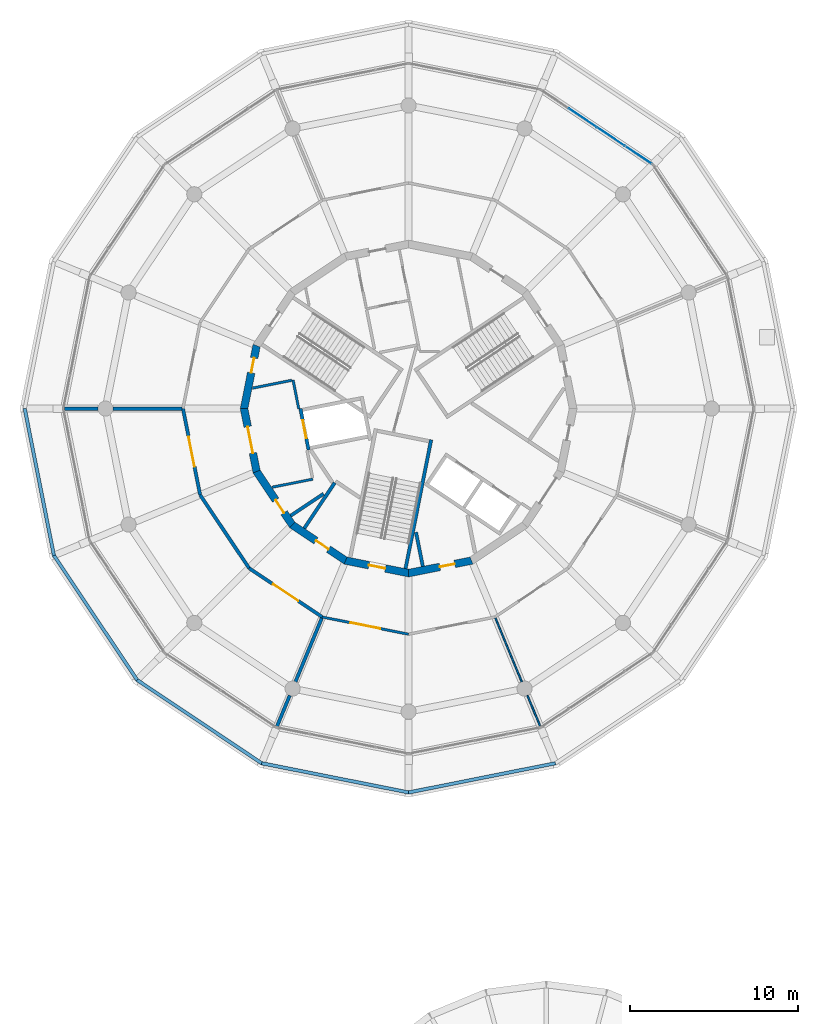
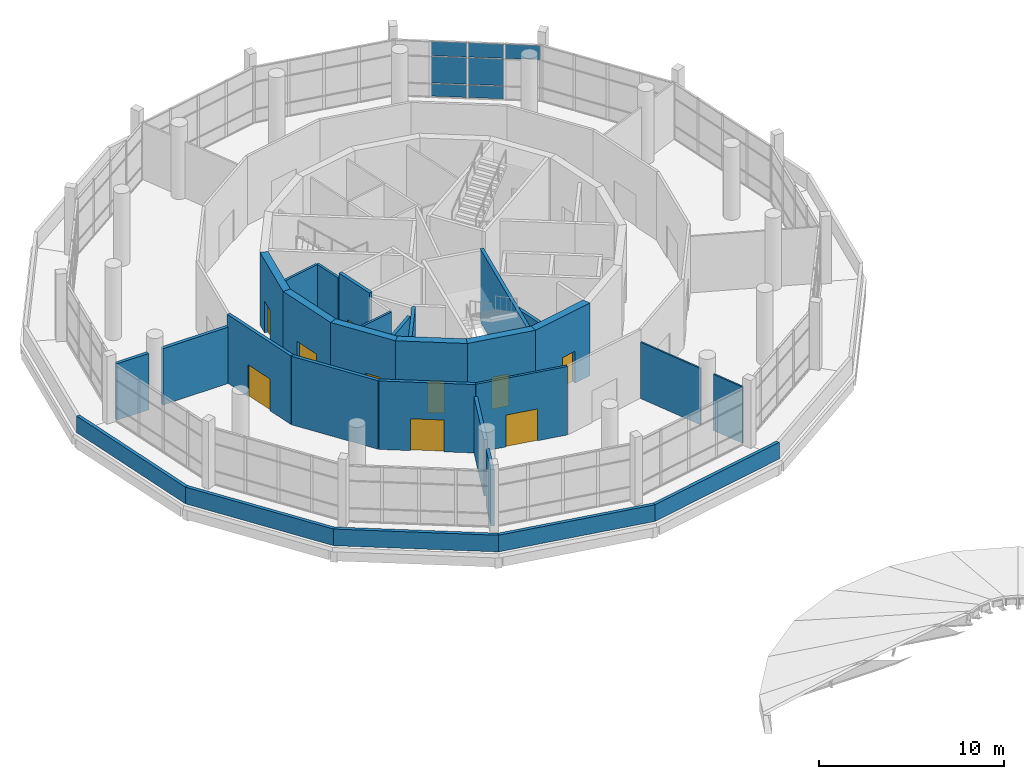
# One storey, part 16 of 21: 29 walls, 10 doors, 7 plates, 10 openings, 1 element without a shape of its own.
"""IFC4 building model written with IfcOpenShell, lengths in metres."""

from ifc_helpers import new_model, si_unit, direction, frame, frame_2d, origin, origin_2d, place, context, subcontext, project, spatial, polyline, rectangle, outline, extrude, material, layer, layer_set, type_object, element, fill, aggregate, save


model = new_model("IFC4")

# Units and contexts
model_context = context("Model", 3, precision=1e-05, world=origin(), true_north=direction((0.0, 1.0)))
body_context = subcontext(model_context, "Body", "Model", "MODEL_VIEW")
ifc_project = project(units=[si_unit("LENGTHUNIT", "METRE"), si_unit("AREAUNIT", "SQUARE_METRE"), si_unit("VOLUMEUNIT", "CUBIC_METRE"), si_unit("PLANEANGLEUNIT", "RADIAN"), si_unit("MASSUNIT", "GRAM", prefix="KILO")], contexts=[model_context])

# Site, building, storey
site_placement = place(None, origin())
site = spatial("IfcSite", under=ifc_project, at=site_placement, CompositionType="ELEMENT")
building_placement = place(site_placement, origin())
building = spatial("IfcBuilding", under=site, at=building_placement, Name="Ceibo Conservatory and Research Tower", CompositionType="ELEMENT")
storey_placement = place(building_placement, frame((0.0, 0.0, 15.60009765625)))
storey = spatial("IfcBuildingStorey", under=building, at=storey_placement, Name="L03", CompositionType="ELEMENT", Elevation=15.60009765625)

# Curtain wall, plates
ifc_material_1 = material(Name="Aluminium and glass", Category="aluminium")
curtain_wall_type = type_object("IfcCurtainWallType", Name="Curtain wall CW1", PredefinedType="NOTDEFINED", material=ifc_material_1)
curtain_wall_placement = place(storey_placement, origin())
curtain_wall = element("IfcCurtainWall", 1, at=curtain_wall_placement, inside=storey, type_object=curtain_wall_type, Name="CW-03.03", PredefinedType="NOTDEFINED")
ifc_material_2 = material(Name="Glass", Category="glass")
ifc_layer_1 = layer(ifc_material_2, 0.028076171875)
ifc_layer_set_1 = layer_set([ifc_layer_1], Name="Glass")
plate_type = type_object("IfcPlateType", Name="Insulated glass panel 28", PredefinedType="CURTAIN_PANEL", material=ifc_layer_set_1)
plate_1_placement = place(storey_placement, frame((61.65185546875, 135.0595703125, 2.72998046875), z_axis=(0.0, 0.0, 1.0), x_axis=(-0.831469649004, 0.555570178092, 0.0)))
plate_1 = element("IfcPlate", 2, at=plate_1_placement, type_object=plate_type, Name="CW-03.03 panel 1.3", PredefinedType="CURTAIN_PANEL", context=body_context, shape_type="SweptSolid", body=[
    extrude(rectangle(XDim=1.90966796875, YDim=0.028076171875, at=origin_2d()), origin(), (0.0, 0.0, 1.0), 0.929931640625),
])
plate_2_placement = place(storey_placement, frame((60.001708984375, 136.162109375, 0.059814453125), z_axis=(0.0, 0.0, 1.0), x_axis=(-0.831469649004, 0.555570178092, 0.0)))
plate_2 = element("IfcPlate", 3, at=plate_2_placement, type_object=plate_type, Name="CW-03.03 panel 2.1", PredefinedType="CURTAIN_PANEL", context=body_context, shape_type="SweptSolid", body=[
    extrude(rectangle(XDim=1.939697265625, YDim=0.028076171875, at=origin_2d()), origin(), (0.0, 0.0, 1.0), 0.81005859375),
])
plate_3_placement = place(storey_placement, frame((60.001708984375, 136.162109375, 0.9296875), z_axis=(0.0, 0.0, 1.0), x_axis=(-0.831469649004, 0.555570178092, 0.0)))
plate_3 = element("IfcPlate", 4, at=plate_3_placement, type_object=plate_type, Name="CW-03.03 panel 2.2", PredefinedType="CURTAIN_PANEL", context=body_context, shape_type="SweptSolid", body=[
    extrude(rectangle(XDim=1.939697265625, YDim=0.028076171875, at=origin_2d()), origin(), (0.0, 0.0, 1.0), 1.739990234375),
])
plate_4_placement = place(storey_placement, frame((60.001708984375, 136.162109375, 2.72998046875), z_axis=(0.0, 0.0, 1.0), x_axis=(-0.831469649004, 0.555570178092, 0.0)))
plate_4 = element("IfcPlate", 5, at=plate_4_placement, type_object=plate_type, Name="CW-03.03 panel 2.3", PredefinedType="CURTAIN_PANEL", context=body_context, shape_type="SweptSolid", body=[
    extrude(rectangle(XDim=1.939697265625, YDim=0.028076171875, at=origin_2d()), origin(), (0.0, 0.0, 1.0), 0.929931640625),
])
plate_5_placement = place(storey_placement, frame((58.339111328125, 137.273193359375, 0.059814453125), z_axis=(0.0, 0.0, 1.0), x_axis=(-0.831469649004, 0.555570178092, 0.0)))
plate_5 = element("IfcPlate", 6, at=plate_5_placement, type_object=plate_type, Name="CW-03.03 panel 3.1", PredefinedType="CURTAIN_PANEL", context=body_context, shape_type="SweptSolid", body=[
    extrude(rectangle(XDim=1.939697265625, YDim=0.028076171875, at=origin_2d()), origin(), (0.0, 0.0, 1.0), 0.81005859375),
])
plate_6_placement = place(storey_placement, frame((58.339111328125, 137.273193359375, 0.9296875), z_axis=(0.0, 0.0, 1.0), x_axis=(-0.831469649004, 0.555570178092, 0.0)))
plate_6 = element("IfcPlate", 7, at=plate_6_placement, type_object=plate_type, Name="CW-03.03 panel 3.2", PredefinedType="CURTAIN_PANEL", context=body_context, shape_type="SweptSolid", body=[
    extrude(rectangle(XDim=1.939697265625, YDim=0.028076171875, at=origin_2d()), origin(), (0.0, 0.0, 1.0), 1.739990234375),
])
plate_7_placement = place(storey_placement, frame((58.339111328125, 137.273193359375, 2.72998046875), z_axis=(0.0, 0.0, 1.0), x_axis=(-0.831469649004, 0.555570178092, 0.0)))
plate_7 = element("IfcPlate", 8, at=plate_7_placement, type_object=plate_type, Name="CW-03.03 panel 3.3", PredefinedType="CURTAIN_PANEL", context=body_context, shape_type="SweptSolid", body=[
    extrude(rectangle(XDim=1.939697265625, YDim=0.028076171875, at=origin_2d()), origin(), (0.0, 0.0, 1.0), 0.929931640625),
])
aggregate(curtain_wall, [plate_1, plate_2, plate_3, plate_4, plate_5, plate_6, plate_7])

# Wall, opening, door
ifc_material_3 = material(Name="Masonry blockwork", Category="masonry")
ifc_layer_2 = layer(ifc_material_3, 0.199951171875)
ifc_layer_set_2 = layer_set([ifc_layer_2], Name="Masonry blockwork")
wall_type_1 = type_object("IfcWallType", Name="Compartment wall 200 EI 120", PredefinedType="SOLIDWALL", material=ifc_layer_set_2)
wall_1_placement = place(storey_placement, frame((42.8720703125, 107.6201171875, 0.0), z_axis=(0.0, 0.0, 1.0), x_axis=(-0.831460742974, 0.555583506678, 0.0)))
wall_1 = element("IfcWall", 9, at=wall_1_placement, inside=storey, type_object=wall_type_1, Name="Partition 03.009", PredefinedType="SOLIDWALL", context=body_context, shape_type="SweptSolid", body=[
    extrude(rectangle(XDim=5.228271484375, YDim=0.199951171875, at=frame_2d((2.6142578125, 0.0))), origin(), (0.0, 0.0, 1.0), 4.52001953125),
])
opening_1_placement = place(wall_1_placement, frame((1.71435546875, 0.0, 0.0)))
opening_1 = element("IfcOpeningElement", 10, at=opening_1_placement, cuts=wall_1, Name="Opening T03-06", PredefinedType="OPENING", context=body_context, shape_type="SweptSolid", body=[
    extrude(rectangle(XDim=1.800048828125, YDim=2.10009765625, at=frame_2d((0.89990234375, 1.050048828125))), frame((0.0, 0.10986328125, 0.0), z_axis=(0.0, -1.0, 0.0), x_axis=(1.0, 0.0, 0.0)), (0.0, 0.0, 1.0), 0.219970703125),
])
ifc_material_4 = material(Name="Galvanised sheet steel DX51D", Category="steel")
door_type_1 = type_object("IfcDoorType", Name="Door fire double 1800x2100 EI 60", OperationType="DOUBLE_DOOR_SINGLE_SWING", PredefinedType="DOOR", material=ifc_material_4)
door_1_placement = place(opening_1_placement, origin())
door_1 = element("IfcDoor", 11, at=door_1_placement, inside=storey, type_object=door_type_1, Name="Door T03-06", OperationType="DOUBLE_DOOR_SINGLE_SWING", OverallHeight=2.10009765625, OverallWidth=1.800048828125, PredefinedType="DOOR", context=body_context, shape_type="SweptSolid", body=[
    extrude(rectangle(XDim=1.800048828125, YDim=2.10009765625, at=frame_2d((0.89990234375, 1.050048828125))), frame((0.0, 0.02490234375, 0.0), z_axis=(0.0, -1.0, 0.0), x_axis=(1.0, 0.0, 0.0)), (0.0, 0.0, 1.0), 0.050048828125),
])
fill(opening_1, door_1)

# Wall
wall_2_placement = place(storey_placement, frame((38.52490234375, 110.52490234375, 0.0), z_axis=(0.0, 0.0, 1.0), x_axis=(-0.555583506678, 0.831460742974, 0.0)))
element("IfcWall", 12, at=wall_2_placement, inside=storey, type_object=wall_type_1, Name="Partition 03.010", PredefinedType="SOLIDWALL", context=body_context, shape_type="SweptSolid", body=[
    extrude(rectangle(XDim=5.228271484375, YDim=0.199951171875, at=frame_2d((2.6142578125, 0.0))), origin(), (0.0, 0.0, 1.0), 4.52001953125),
])

# Wall, opening, door
wall_3_placement = place(storey_placement, frame((35.6201171875, 114.8720703125, 0.0), z_axis=(0.0, 0.0, 1.0), x_axis=(-0.195092326952, 0.980784881595, 0.0)))
wall_3 = element("IfcWall", 13, at=wall_3_placement, inside=storey, type_object=wall_type_1, Name="Partition 03.011", PredefinedType="SOLIDWALL", context=body_context, shape_type="SweptSolid", body=[
    extrude(rectangle(XDim=5.228515625, YDim=0.199951171875, at=frame_2d((2.6142578125, 0.0))), origin(), (0.0, 0.0, 1.0), 4.52001953125),
])
opening_2_placement = place(wall_3_placement, frame((1.71435546875, 0.0, 0.0)))
opening_2 = element("IfcOpeningElement", 14, at=opening_2_placement, cuts=wall_3, Name="Opening T03-05", PredefinedType="OPENING", context=body_context, shape_type="SweptSolid", body=[
    extrude(rectangle(XDim=1.800048828125, YDim=2.10009765625, at=frame_2d((0.89990234375, 1.050048828125))), frame((0.0, 0.10986328125, 0.0), z_axis=(0.0, -1.0, 0.0), x_axis=(1.0, 0.0, 0.0)), (0.0, 0.0, 1.0), 0.219970703125),
])
door_2_placement = place(opening_2_placement, origin())
door_2 = element("IfcDoor", 15, at=door_2_placement, inside=storey, type_object=door_type_1, Name="Door T03-05", OperationType="DOUBLE_DOOR_SINGLE_SWING", OverallHeight=2.10009765625, OverallWidth=1.800048828125, PredefinedType="DOOR", context=body_context, shape_type="SweptSolid", body=[
    extrude(rectangle(XDim=1.800048828125, YDim=2.10009765625, at=frame_2d((0.89990234375, 1.050048828125))), frame((0.0, 0.02490234375, 0.0), z_axis=(0.0, -1.0, 0.0), x_axis=(1.0, 0.0, 0.0)), (0.0, 0.0, 1.0), 0.050048828125),
])
fill(opening_2, door_2)

# Walls
wall_4_placement = place(storey_placement, frame((29.56005859375, 120.0, 0.0), z_axis=(0.0, 0.0, 1.0), x_axis=(-1.0, 0.0, 0.0)))
element("IfcWall", 16, at=wall_4_placement, inside=storey, type_object=wall_type_1, Name="Partition 03.021", PredefinedType="SOLIDWALL", context=body_context, shape_type="SweptSolid", body=[
    extrude(rectangle(XDim=1.99853515625, YDim=0.199951171875, at=frame_2d((0.999267578125, 0.0))), origin(), (0.0, 0.0, 1.0), 3.719970703125),
])
wall_5_placement = place(storey_placement, frame((34.528564453125, 120.0, 0.0), z_axis=(0.0, 0.0, 1.0), x_axis=(-1.0, 0.0, 0.0)))
element("IfcWall", 17, at=wall_5_placement, inside=storey, type_object=wall_type_1, Name="Partition 03.022", PredefinedType="SOLIDWALL", context=body_context, shape_type="SweptSolid", body=[
    extrude(rectangle(XDim=4.088623046875, YDim=0.199951171875, at=frame_2d((2.04443359375, 0.0))), origin(), (0.0, 0.0, 1.0), 3.719970703125),
])
wall_6_placement = place(storey_placement, frame((40.943359375, 102.963623046875, 0.0), z_axis=(0.0, 0.0, 1.0), x_axis=(-0.382758203112, -0.923848557909, 0.0)))
element("IfcWall", 18, at=wall_6_placement, inside=storey, type_object=wall_type_1, Name="Partition 03.023", PredefinedType="SOLIDWALL", context=body_context, shape_type="SweptSolid", body=[
    extrude(rectangle(XDim=1.998291015625, YDim=0.199951171875, at=frame_2d((0.9990234375, 0.0))), origin(), (0.0, 0.0, 1.0), 3.719970703125),
])
wall_7_placement = place(storey_placement, frame((42.8447265625, 107.553955078125, 0.0), z_axis=(0.0, 0.0, 1.0), x_axis=(-0.38269809899, -0.92387345726, 0.0)))
element("IfcWall", 19, at=wall_7_placement, inside=storey, type_object=wall_type_1, Name="Partition 03.024", PredefinedType="SOLIDWALL", context=body_context, shape_type="SweptSolid", body=[
    extrude(rectangle(XDim=4.088623046875, YDim=0.199951171875, at=frame_2d((2.04443359375, 0.0))), origin(), (0.0, 0.0, 1.0), 3.719970703125),
])

# Wall, opening, door
ifc_material_5 = material(Name="Concrete C35/45", Category="concrete")
ifc_layer_3 = layer(ifc_material_5, 0.449951171875)
ifc_layer_set_3 = layer_set([ifc_layer_3], Name="Concrete C35/45")
wall_type_2 = type_object("IfcWallType", Name="Core wall 450 C35", PredefinedType="SHEAR", material=ifc_layer_set_3)
wall_8_placement = place(storey_placement, frame((38.97314453125, 123.739013671875, 0.0), z_axis=(0.0, 0.0, 1.0), x_axis=(-0.195069197673, -0.98078948206, 0.0)))
wall_8 = element("IfcWall", 20, at=wall_8_placement, inside=storey, type_object=wall_type_2, Name="Core wall L03 08", PredefinedType="SHEAR", context=body_context, shape_type="SweptSolid", body=[
    extrude(outline(polyline([(-0.044677734375, -0.22509765625), (3.85693359375, -0.22509765625), (3.767578125, 0.22509765625), (0.044677734375, 0.22509765625), (-0.044677734375, -0.22509765625)])), origin(), (0.0, 0.0, 1.0), 4.7998046875),
])
opening_3_placement = place(wall_8_placement, frame((0.74462890625, 0.0, 0.0)))
opening_3 = element("IfcOpeningElement", 21, at=opening_3_placement, cuts=wall_8, Name="Opening C03-12", PredefinedType="OPENING", context=body_context, shape_type="SweptSolid", body=[
    extrude(rectangle(XDim=0.89990234375, YDim=2.10009765625, at=frame_2d((0.449951171875, 1.050048828125))), frame((0.0, 0.23486328125, 0.0), z_axis=(0.0, -1.0, 0.0), x_axis=(1.0, 0.0, 0.0)), (0.0, 0.0, 1.0), 0.469970703125),
])
door_type_2 = type_object("IfcDoorType", Name="Riser door 900x2100 EI 60 (right hand)", OperationType="SINGLE_SWING_RIGHT", PredefinedType="DOOR", material=ifc_material_4)
door_3_placement = place(opening_3_placement, origin())
door_3 = element("IfcDoor", 22, at=door_3_placement, inside=storey, type_object=door_type_2, Name="Store door 03", OperationType="SINGLE_SWING_RIGHT", OverallHeight=2.10009765625, OverallWidth=0.89990234375, PredefinedType="DOOR", context=body_context, shape_type="SweptSolid", body=[
    extrude(rectangle(XDim=0.89990234375, YDim=2.10009765625, at=frame_2d((0.449951171875, 1.050048828125))), frame((0.0, 0.02490234375, 0.0), z_axis=(0.0, -1.0, 0.0), x_axis=(1.0, 0.0, 0.0)), (0.0, 0.0, 1.0), 0.050048828125),
])
fill(opening_3, door_3)

wall_9_placement = place(storey_placement, frame((38.2294921875, 120.0, 0.0), z_axis=(0.0, 0.0, 1.0), x_axis=(0.195069197673, -0.98078948206, 0.0)))
wall_9 = element("IfcWall", 23, at=wall_9_placement, inside=storey, type_object=wall_type_2, Name="Core wall L03 09", PredefinedType="SHEAR", context=body_context, shape_type="SweptSolid", body=[
    extrude(outline(polyline([(-0.044677734375, -0.22509765625), (3.85693359375, -0.22509765625), (3.767578125, 0.22509765625), (0.044677734375, 0.22509765625), (-0.044677734375, -0.22509765625)])), origin(), (0.0, 0.0, 1.0), 4.7998046875),
])
opening_4_placement = place(wall_9_placement, frame((1.0947265625, 0.0, 0.0)))
opening_4 = element("IfcOpeningElement", 24, at=opening_4_placement, cuts=wall_9, Name="Opening C03-06", PredefinedType="OPENING", context=body_context, shape_type="SweptSolid", body=[
    extrude(rectangle(XDim=1.60009765625, YDim=2.10009765625, at=frame_2d((0.800048828125, 1.050048828125))), frame((0.0, 0.23486328125, 0.0), z_axis=(0.0, -1.0, 0.0), x_axis=(1.0, 0.0, 0.0)), (0.0, 0.0, 1.0), 0.469970703125),
])
door_type_3 = type_object("IfcDoorType", Name="Lobby double door 1600x2100 EI 60", OperationType="DOUBLE_DOOR_SINGLE_SWING", PredefinedType="DOOR", material=ifc_material_4)
door_4_placement = place(opening_4_placement, frame((1.60009765625, 0.0, 0.0), z_axis=(0.0, 0.0, 1.0), x_axis=(-1.0, 0.0, 0.0)))
door_4 = element("IfcDoor", 25, at=door_4_placement, inside=storey, type_object=door_type_3, Name="Goods Lift Lobby door 03", OperationType="DOUBLE_DOOR_SINGLE_SWING", OverallHeight=2.10009765625, OverallWidth=1.60009765625, PredefinedType="DOOR", context=body_context, shape_type="SweptSolid", body=[
    extrude(rectangle(XDim=1.60009765625, YDim=2.10009765625, at=frame_2d((0.800048828125, 1.050048828125))), frame((0.0, 0.02490234375, 0.0), z_axis=(0.0, -1.0, 0.0), x_axis=(1.0, 0.0, 0.0)), (0.0, 0.0, 1.0), 0.050048828125),
])
fill(opening_4, door_4)

wall_10_placement = place(storey_placement, frame((38.97314453125, 116.260986328125, 0.0), z_axis=(0.0, 0.0, 1.0), x_axis=(0.555542277102, -0.83148829117, 0.0)))
wall_10 = element("IfcWall", 26, at=wall_10_placement, inside=storey, type_object=wall_type_2, Name="Core wall L03 10", PredefinedType="SHEAR", context=body_context, shape_type="SweptSolid", body=[
    extrude(outline(polyline([(-0.044677734375, -0.22509765625), (3.85693359375, -0.22509765625), (3.767578125, 0.22509765625), (0.044677734375, 0.22509765625), (-0.044677734375, -0.22509765625)])), origin(), (0.0, 0.0, 1.0), 4.7998046875),
])
opening_5_placement = place(wall_10_placement, frame((2.044677734375, 0.0, 0.0)))
opening_5 = element("IfcOpeningElement", 27, at=opening_5_placement, cuts=wall_10, Name="Opening C03-10", PredefinedType="OPENING", context=body_context, shape_type="SweptSolid", body=[
    extrude(rectangle(XDim=0.89990234375, YDim=2.10009765625, at=frame_2d((0.449951171875, 1.050048828125))), frame((0.0, 0.23486328125, 0.0), z_axis=(0.0, -1.0, 0.0), x_axis=(1.0, 0.0, 0.0)), (0.0, 0.0, 1.0), 0.469970703125),
])
door_type_4 = type_object("IfcDoorType", Name="Riser door 900x2100 EI 60 (left hand)", OperationType="SINGLE_SWING_LEFT", PredefinedType="DOOR", material=ifc_material_4)
door_5_placement = place(opening_5_placement, frame((0.89990234375, 0.0, 0.0), z_axis=(0.0, 0.0, 1.0), x_axis=(-1.0, 0.0, 0.0)))
door_5 = element("IfcDoor", 28, at=door_5_placement, inside=storey, type_object=door_type_4, Name="Cleaner Store door 03", OperationType="SINGLE_SWING_LEFT", OverallHeight=2.10009765625, OverallWidth=0.89990234375, PredefinedType="DOOR", context=body_context, shape_type="SweptSolid", body=[
    extrude(rectangle(XDim=0.89990234375, YDim=2.10009765625, at=frame_2d((0.449951171875, 1.050048828125))), frame((0.0, 0.02490234375, 0.0), z_axis=(0.0, -1.0, 0.0), x_axis=(1.0, 0.0, 0.0)), (0.0, 0.0, 1.0), 0.050048828125),
])
fill(opening_5, door_5)

wall_11_placement = place(storey_placement, frame((41.091064453125, 113.091064453125, 0.0), z_axis=(0.0, 0.0, 1.0), x_axis=(0.83148829117, -0.555542277102, 0.0)))
wall_11 = element("IfcWall", 29, at=wall_11_placement, inside=storey, type_object=wall_type_2, Name="Core wall L03 11", PredefinedType="SHEAR", context=body_context, shape_type="SweptSolid", body=[
    extrude(outline(polyline([(-0.044677734375, -0.22509765625), (3.85693359375, -0.22509765625), (3.767578125, 0.22509765625), (0.044677734375, 0.22509765625), (-0.044677734375, -0.22509765625)])), origin(), (0.0, 0.0, 1.0), 4.7998046875),
])
opening_6_placement = place(wall_11_placement, frame((1.694580078125, 0.0, 0.0)))
opening_6 = element("IfcOpeningElement", 30, at=opening_6_placement, cuts=wall_11, Name="Opening C03-09", PredefinedType="OPENING", context=body_context, shape_type="SweptSolid", body=[
    extrude(rectangle(XDim=0.89990234375, YDim=2.10009765625, at=frame_2d((0.449951171875, 1.050048828125))), frame((0.0, 0.23486328125, 0.0), z_axis=(0.0, -1.0, 0.0), x_axis=(1.0, 0.0, 0.0)), (0.0, 0.0, 1.0), 0.469970703125),
])
door_6_placement = place(opening_6_placement, frame((0.89990234375, 0.0, 0.0), z_axis=(0.0, 0.0, 1.0), x_axis=(-1.0, 0.0, 0.0)))
door_6 = element("IfcDoor", 31, at=door_6_placement, inside=storey, type_object=door_type_4, Name="Electrical Riser door 03", OperationType="SINGLE_SWING_LEFT", OverallHeight=2.10009765625, OverallWidth=0.89990234375, PredefinedType="DOOR", context=body_context, shape_type="SweptSolid", body=[
    extrude(rectangle(XDim=0.89990234375, YDim=2.10009765625, at=frame_2d((0.449951171875, 1.050048828125))), frame((0.0, 0.02490234375, 0.0), z_axis=(0.0, -1.0, 0.0), x_axis=(1.0, 0.0, 0.0)), (0.0, 0.0, 1.0), 0.050048828125),
])
fill(opening_6, door_6)

wall_12_placement = place(storey_placement, frame((44.260986328125, 110.97314453125, 0.0), z_axis=(0.0, 0.0, 1.0), x_axis=(0.98078948206, -0.195069197673, 0.0)))
wall_12 = element("IfcWall", 32, at=wall_12_placement, inside=storey, type_object=wall_type_2, Name="Core wall L03 12", PredefinedType="SHEAR", context=body_context, shape_type="SweptSolid", body=[
    extrude(outline(polyline([(-0.044677734375, -0.22509765625), (3.85693359375, -0.22509765625), (3.767578125, 0.22509765625), (0.044677734375, 0.22509765625), (-0.044677734375, -0.22509765625)])), origin(), (0.0, 0.0, 1.0), 4.7998046875),
])
opening_7_placement = place(wall_12_placement, frame((1.40625, 0.0, 0.0)))
opening_7 = element("IfcOpeningElement", 33, at=opening_7_placement, cuts=wall_12, Name="Opening C03-03", PredefinedType="OPENING", context=body_context, shape_type="SweptSolid", body=[
    extrude(rectangle(XDim=1.0, YDim=2.10009765625, at=frame_2d((0.5, 1.050048828125))), frame((0.0, 0.23486328125, 0.0), z_axis=(0.0, -1.0, 0.0), x_axis=(1.0, 0.0, 0.0)), (0.0, 0.0, 1.0), 0.469970703125),
])
door_type_5 = type_object("IfcDoorType", Name="Stair door 1000x2100 EI 120 (right hand)", OperationType="SINGLE_SWING_RIGHT", PredefinedType="DOOR", material=ifc_material_4)
door_7_placement = place(opening_7_placement, origin())
door_7 = element("IfcDoor", 34, at=door_7_placement, inside=storey, type_object=door_type_5, Name="Stair door ST3 03", OperationType="SINGLE_SWING_RIGHT", OverallHeight=2.10009765625, OverallWidth=1.0, PredefinedType="DOOR", context=body_context, shape_type="SweptSolid", body=[
    extrude(rectangle(XDim=1.0, YDim=2.10009765625, at=frame_2d((0.5, 1.050048828125))), frame((0.0, 0.02490234375, 0.0), z_axis=(0.0, -1.0, 0.0), x_axis=(1.0, 0.0, 0.0)), (0.0, 0.0, 1.0), 0.050048828125),
])
fill(opening_7, door_7)

wall_13_placement = place(storey_placement, frame((48.0, 110.2294921875, 0.0), z_axis=(0.0, 0.0, 1.0), x_axis=(0.98078948206, 0.195069197673, 0.0)))
wall_13 = element("IfcWall", 35, at=wall_13_placement, inside=storey, type_object=wall_type_2, Name="Core wall L03 13", PredefinedType="SHEAR", context=body_context, shape_type="SweptSolid", body=[
    extrude(outline(polyline([(-0.044677734375, -0.22509765625), (3.85693359375, -0.22509765625), (3.767578125, 0.22509765625), (0.044677734375, 0.22509765625), (-0.044677734375, -0.22509765625)])), origin(), (0.0, 0.0, 1.0), 4.7998046875),
])
opening_8_placement = place(wall_13_placement, frame((1.894775390625, 0.0, 0.0)))
opening_8 = element("IfcOpeningElement", 36, at=opening_8_placement, cuts=wall_13, Name="Opening C03-11", PredefinedType="OPENING", context=body_context, shape_type="SweptSolid", body=[
    extrude(rectangle(XDim=0.89990234375, YDim=2.10009765625, at=frame_2d((0.449951171875, 1.050048828125))), frame((0.0, 0.23486328125, 0.0), z_axis=(0.0, -1.0, 0.0), x_axis=(1.0, 0.0, 0.0)), (0.0, 0.0, 1.0), 0.469970703125),
])
door_8_placement = place(opening_8_placement, frame((0.89990234375, 0.0, 0.0), z_axis=(0.0, 0.0, 1.0), x_axis=(-1.0, 0.0, 0.0)))
door_8 = element("IfcDoor", 37, at=door_8_placement, inside=storey, type_object=door_type_4, Name="Cleaner Store door 03", OperationType="SINGLE_SWING_LEFT", OverallHeight=2.10009765625, OverallWidth=0.89990234375, PredefinedType="DOOR", context=body_context, shape_type="SweptSolid", body=[
    extrude(rectangle(XDim=0.89990234375, YDim=2.10009765625, at=frame_2d((0.449951171875, 1.050048828125))), frame((0.0, 0.02490234375, 0.0), z_axis=(0.0, -1.0, 0.0), x_axis=(1.0, 0.0, 0.0)), (0.0, 0.0, 1.0), 0.050048828125),
])
fill(opening_8, door_8)

# Walls
ifc_material_6 = material(Name="Plasterboard on metal studs, fire board")
ifc_layer_4 = layer(ifc_material_6, 0.14990234375)
ifc_layer_set_4 = layer_set([ifc_layer_4], Name="Plasterboard on metal studs, fire board")
wall_type_3 = type_object("IfcWallType", Name="Corridor wall 150 EI 60", PredefinedType="PARTITIONING", material=ifc_layer_set_4)
wall_14_placement = place(storey_placement, frame((39.899169921875, 115.329833984375, 0.0), z_axis=(0.0, 0.0, 1.0), x_axis=(0.980782755583, 0.195103014715, 0.0)))
element("IfcWall", 38, at=wall_14_placement, inside=storey, type_object=wall_type_3, Name="Core partition 03.P004", PredefinedType="PARTITIONING", context=body_context, shape_type="SweptSolid", body=[
    extrude(rectangle(XDim=2.456298828125, YDim=0.14990234375, at=frame_2d((1.22802734375, 0.0))), origin(), (0.0, 0.0, 1.0), 4.52001953125),
])
wall_15_placement = place(storey_placement, frame((41.47900390625, 119.977294921875, 0.0), z_axis=(0.0, 0.0, 1.0), x_axis=(-0.19501613536, 0.98080003413, 0.0)))
element("IfcWall", 39, at=wall_15_placement, inside=storey, type_object=wall_type_3, Name="Core partition 03.P006", PredefinedType="PARTITIONING", context=body_context, shape_type="SweptSolid", body=[
    extrude(rectangle(XDim=1.750244140625, YDim=0.14990234375, at=frame_2d((0.875, 0.0))), origin(), (0.0, 0.0, 1.0), 4.52001953125),
])
wall_16_placement = place(storey_placement, frame((41.064208984375, 121.67919921875, 0.0), z_axis=(0.0, 0.0, 1.0), x_axis=(-0.980781272394, -0.195110470559, 0.0)))
element("IfcWall", 40, at=wall_16_placement, inside=storey, type_object=wall_type_3, Name="Core partition 03.P007", PredefinedType="PARTITIONING", context=body_context, shape_type="SweptSolid", body=[
    extrude(rectangle(XDim=2.381103515625, YDim=0.14990234375, at=frame_2d((1.1904296875, 0.0))), origin(), (0.0, 0.0, 1.0), 4.52001953125),
])

# Wall, opening, door
wall_17_placement = place(storey_placement, frame((48.0, 106.60009765625, 0.0), z_axis=(0.0, 0.0, 1.0), x_axis=(-0.980784881595, 0.195092326952, 0.0)))
wall_17 = element("IfcWall", 41, at=wall_17_placement, inside=storey, type_object=wall_type_3, Name="Partition 03.012", PredefinedType="PARTITIONING", context=body_context, shape_type="SweptSolid", body=[
    extrude(rectangle(XDim=5.228515625, YDim=0.14990234375, at=frame_2d((2.6142578125, 0.0))), origin(), (0.0, 0.0, 1.0), 4.52001953125),
])
opening_9_placement = place(wall_17_placement, frame((1.71435546875, 0.0, 0.0)))
opening_9 = element("IfcOpeningElement", 42, at=opening_9_placement, cuts=wall_17, Name="Opening T03-07", PredefinedType="OPENING", context=body_context, shape_type="SweptSolid", body=[
    extrude(rectangle(XDim=1.800048828125, YDim=2.10009765625, at=frame_2d((0.89990234375, 1.050048828125))), frame((0.0, 0.0849609375, 0.0), z_axis=(0.0, -1.0, 0.0), x_axis=(1.0, 0.0, 0.0)), (0.0, 0.0, 1.0), 0.169921875),
])
door_9_placement = place(opening_9_placement, origin())
door_9 = element("IfcDoor", 43, at=door_9_placement, inside=storey, type_object=door_type_1, Name="Door T03-07", OperationType="DOUBLE_DOOR_SINGLE_SWING", OverallHeight=2.10009765625, OverallWidth=1.800048828125, PredefinedType="DOOR", context=body_context, shape_type="SweptSolid", body=[
    extrude(rectangle(XDim=1.800048828125, YDim=2.10009765625, at=frame_2d((0.89990234375, 1.050048828125))), frame((0.0, 0.02490234375, 0.0), z_axis=(0.0, -1.0, 0.0), x_axis=(1.0, 0.0, 0.0)), (0.0, 0.0, 1.0), 0.050048828125),
])
fill(opening_9, door_9)

# Walls
ifc_material_7 = material(Name="Ceramic mosaic tessera")
ifc_layer_5 = layer(ifc_material_7, 0.010009765625, Name="Ceramic mosaic")
ifc_material_8 = material(Name="Concrete C30/37", Category="concrete")
ifc_layer_6 = layer(ifc_material_8, 0.18994140625, Name="Reinforced concrete leaf")
ifc_layer_set_5 = layer_set([ifc_layer_5, ifc_layer_6], Name="Concrete C30/37")
wall_type_4 = type_object("IfcWallType", Name="Parapet wall 200", PredefinedType="PARAPET", material=ifc_layer_set_5)
wall_18_placement = place(storey_placement, frame((25.201904296875, 120.0, 0.0), z_axis=(0.0, 0.0, 1.0), x_axis=(0.195086798781, -0.980785981212, 0.0)))
element("IfcWall", 44, at=wall_18_placement, inside=storey, type_object=wall_type_4, Name="Parapet L03 9", PredefinedType="PARAPET", context=body_context, shape_type="SweptSolid", body=[
    extrude(outline(polyline([(-0.019775390625, -0.10009765625), (8.9150390625, -0.10009765625), (8.87548828125, 0.10009765625), (0.019775390625, 0.10009765625), (-0.019775390625, -0.10009765625)])), origin(), (0.0, 0.0, 1.0), 1.099853515625),
])
for number, where, z_axis, x_axis, name in (
    (45, (26.937255859375, 111.275634765625, 0.0), (0.0, 0.0, 1.0), (0.555580254501, -0.831462916075, 0.0), "Parapet L03 10"),
    (46, (31.87939453125, 103.87939453125, 0.0), (0.0, 0.0, 1.0), (0.831462916075, -0.555580254501, 0.0), "Parapet L03 11"),
):
    element("IfcWall", number, at=place(storey_placement, frame(where, z_axis=z_axis, x_axis=x_axis)), inside=storey, type_object=wall_type_4, Name=name, PredefinedType="PARAPET", context=body_context, shape_type="SweptSolid", body=[
        extrude(outline(polyline([(-0.019775390625, -0.10009765625), (8.915283203125, -0.10009765625), (8.875732421875, 0.10009765625), (0.019775390625, 0.10009765625), (-0.019775390625, -0.10009765625)])), origin(), (0.0, 0.0, 1.0), 1.099853515625),
    ])
for number, where, z_axis, x_axis, name in (
    (47, (39.275634765625, 98.937255859375, 0.0), (0.0, 0.0, 1.0), (0.980785981212, -0.195086798781, 0.0), "Parapet L03 12"),
    (48, (48.0, 97.201904296875, 0.0), (0.0, 0.0, 1.0), (0.980785981212, 0.195086798781, 0.0), "Parapet L03 13"),
):
    element("IfcWall", number, at=place(storey_placement, frame(where, z_axis=z_axis, x_axis=x_axis)), inside=storey, type_object=wall_type_4, Name=name, PredefinedType="PARAPET", context=body_context, shape_type="SweptSolid", body=[
        extrude(outline(polyline([(-0.019775390625, -0.10009765625), (8.9150390625, -0.10009765625), (8.87548828125, 0.10009765625), (0.019775390625, 0.10009765625), (-0.019775390625, -0.10009765625)])), origin(), (0.0, 0.0, 1.0), 1.099853515625),
    ])
ifc_material_9 = material(Name="Plasterboard on metal studs")
ifc_layer_7 = layer(ifc_material_9, 0.10009765625)
ifc_layer_set_6 = layer_set([ifc_layer_7], Name="Plasterboard on metal studs")
wall_type_5 = type_object("IfcWallType", Name="Partition 100", PredefinedType="PARTITIONING", material=ifc_layer_set_6)
wall_19_placement = place(storey_placement, frame((53.1552734375, 107.553955078125, 0.0), z_axis=(0.0, 0.0, 1.0), x_axis=(0.38269809899, -0.92387345726, 0.0)))
element("IfcWall", 49, at=wall_19_placement, inside=storey, type_object=wall_type_5, Name="Partition 03.025", PredefinedType="PARTITIONING", context=body_context, shape_type="SweptSolid", body=[
    extrude(rectangle(XDim=4.088623046875, YDim=0.10009765625, at=frame_2d((2.04443359375, 0.0))), origin(), (0.0, 0.0, 1.0), 3.719970703125),
])
wall_20_placement = place(storey_placement, frame((55.056640625, 102.963623046875, 0.0), z_axis=(0.0, 0.0, 1.0), x_axis=(0.382758203112, -0.923848557909, 0.0)))
element("IfcWall", 50, at=wall_20_placement, inside=storey, type_object=wall_type_5, Name="Partition 03.026", PredefinedType="PARTITIONING", context=body_context, shape_type="SweptSolid", body=[
    extrude(rectangle(XDim=1.998291015625, YDim=0.10009765625, at=frame_2d((0.9990234375, 0.0))), origin(), (0.0, 0.0, 1.0), 3.719970703125),
])
ifc_layer_8 = layer(ifc_material_3, 0.199951171875)
ifc_layer_set_7 = layer_set([ifc_layer_8], Name="Masonry blockwork")
wall_type_6 = type_object("IfcWallType", Name="Riser wall 200 EI 120", PredefinedType="SOLIDWALL", material=ifc_layer_set_7)
wall_21_placement = place(storey_placement, frame((41.80322265625, 112.885986328125, 0.0), z_axis=(0.0, 0.0, 1.0), x_axis=(0.555599142512, 0.83145029487, 0.0)))
element("IfcWall", 51, at=wall_21_placement, inside=storey, type_object=wall_type_6, Name="Core partition 03.P019", PredefinedType="SOLIDWALL", context=body_context, shape_type="SweptSolid", body=[
    extrude(rectangle(XDim=3.2578125, YDim=0.199951171875, at=frame_2d((1.62890625, 0.0))), origin(), (0.0, 0.0, 1.0), 4.52001953125),
])
wall_22_placement = place(storey_placement, frame((42.948486328125, 114.941162109375, 0.0), z_axis=(0.0, 0.0, 1.0), x_axis=(-0.831409634376, -0.555659985842, 0.0)))
element("IfcWall", 52, at=wall_22_placement, inside=storey, type_object=wall_type_6, Name="Core partition 03.P021", PredefinedType="SOLIDWALL", context=body_context, shape_type="SweptSolid", body=[
    extrude(rectangle(XDim=2.34716796875, YDim=0.199951171875, at=frame_2d((1.173583984375, 0.0))), origin(), (0.0, 0.0, 1.0), 4.52001953125),
])
wall_23_placement = place(storey_placement, frame((48.8447265625, 110.626953125, 0.0), z_axis=(0.0, 0.0, 1.0), x_axis=(-0.195050146699, 0.980793270915, 0.0)))
element("IfcWall", 53, at=wall_23_placement, inside=storey, type_object=wall_type_6, Name="Core partition 03.P022", PredefinedType="SOLIDWALL", context=body_context, shape_type="SweptSolid", body=[
    extrude(rectangle(XDim=2.0703125, YDim=0.199951171875, at=frame_2d((1.03515625, 0.0))), origin(), (0.0, 0.0, 1.0), 4.52001953125),
])

# Wall, opening, door
ifc_layer_9 = layer(ifc_material_5, 0.199951171875)
ifc_layer_set_8 = layer_set([ifc_layer_9], Name="Concrete C35/45")
wall_type_7 = type_object("IfcWallType", Name="Shaft wall 200 C35", PredefinedType="SHEAR", material=ifc_layer_set_8)
wall_24_placement = place(storey_placement, frame((41.5771484375, 119.996826171875, 0.0), z_axis=(0.0, 0.0, 1.0), x_axis=(0.195120673769, -0.980779242576, 0.0)))
wall_24 = element("IfcWall", 54, at=wall_24_placement, inside=storey, type_object=wall_type_7, Name="Shaft wall LG1.F L03", PredefinedType="SHEAR", context=body_context, shape_type="SweptSolid", body=[
    extrude(rectangle(XDim=2.5, YDim=0.199951171875, at=frame_2d((1.25, 0.0))), origin(), (0.0, 0.0, 1.0), 4.7998046875),
])
opening_10_placement = place(wall_24_placement, frame((0.699951171875, 0.0, 0.0)))
opening_10 = element("IfcOpeningElement", 55, at=opening_10_placement, cuts=wall_24, Name="Opening LD-LG1-03", PredefinedType="OPENING", context=body_context, shape_type="SweptSolid", body=[
    extrude(rectangle(XDim=1.10009765625, YDim=2.10009765625, at=frame_2d((0.550048828125, 1.050048828125))), frame((0.0, 0.10986328125, 0.0), z_axis=(0.0, -1.0, 0.0), x_axis=(1.0, 0.0, 0.0)), (0.0, 0.0, 1.0), 0.219970703125),
])
ifc_material_10 = material(Name="Stainless steel AISI 316", Category="steel")
door_type_6 = type_object("IfcDoorType", Name="Lift landing door 1100x2100 EI 120", OperationType="SLIDING_TO_LEFT", PredefinedType="DOOR", material=ifc_material_10)
door_10_placement = place(opening_10_placement, origin())
door_10 = element("IfcDoor", 56, at=door_10_placement, inside=storey, type_object=door_type_6, Name="Lift landing door LG1 03", OperationType="SLIDING_TO_LEFT", OverallHeight=2.10009765625, OverallWidth=1.10009765625, PredefinedType="DOOR", context=body_context, shape_type="SweptSolid", body=[
    extrude(rectangle(XDim=1.10009765625, YDim=2.10009765625, at=frame_2d((0.550048828125, 1.050048828125))), frame((0.0, 0.02490234375, 0.0), z_axis=(0.0, -1.0, 0.0), x_axis=(1.0, 0.0, 0.0)), (0.0, 0.0, 1.0), 0.050048828125),
])
fill(opening_10, door_10)

# Wall
ifc_layer_10 = layer(ifc_material_5, 0.199951171875)
ifc_layer_set_9 = layer_set([ifc_layer_10], Name="Concrete C35/45")
wall_type_8 = type_object("IfcWallType", Name="Stair wall 200 C35", PredefinedType="SHEAR", material=ifc_layer_set_9)
wall_25_placement = place(storey_placement, frame((49.3388671875, 118.145263671875, 0.0), z_axis=(0.0, 0.0, 1.0), x_axis=(-0.195092759861, -0.980784795483, 0.0)))
element("IfcWall", 57, at=wall_25_placement, inside=storey, type_object=wall_type_8, Name="Stair wall ST3.W1 L03", PredefinedType="SHEAR", context=body_context, shape_type="SweptSolid", body=[
    extrude(rectangle(XDim=7.800048828125, YDim=0.199951171875, at=frame_2d((3.89990234375, 0.0))), origin(), (0.0, 0.0, 1.0), 4.7998046875),
])

save(model, "model.ifc")
